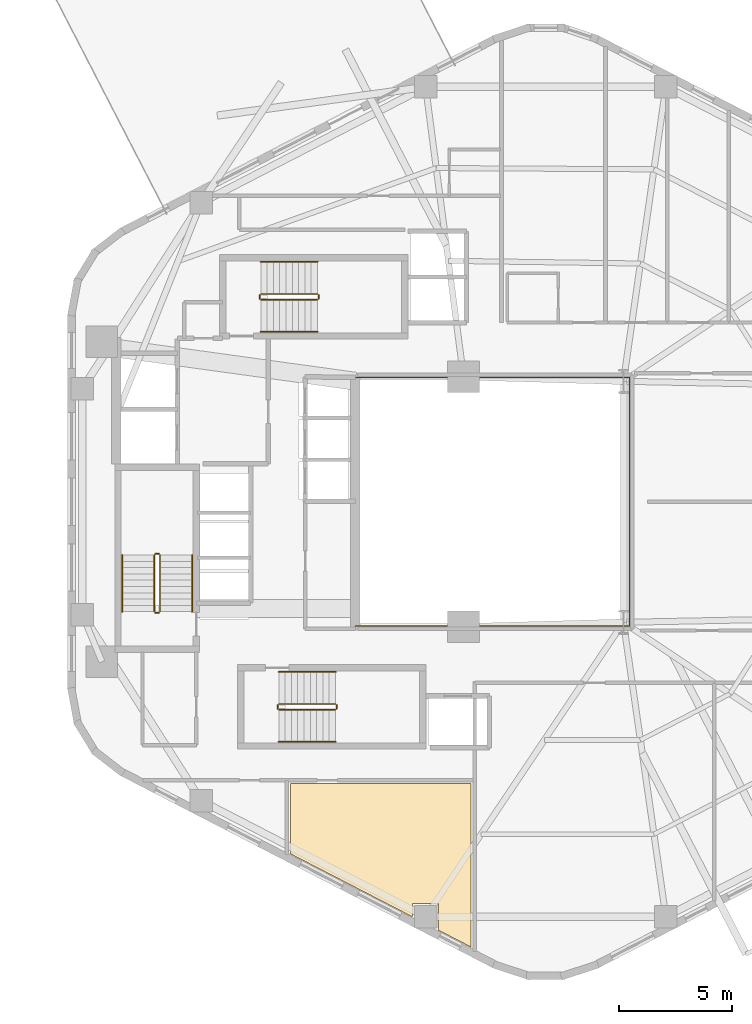
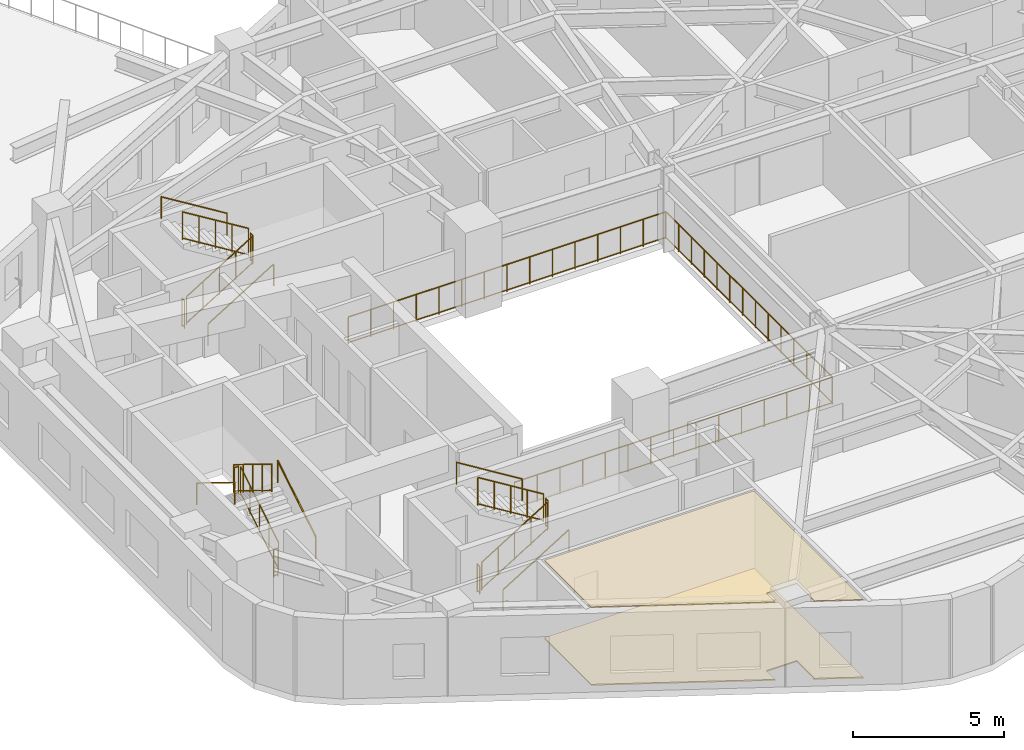
# One storey, part 7 of 8: 19 railings, 2 coverings.
"""IFC4 building model written with IfcOpenShell, lengths in metres."""

from ifc_helpers import new_model, si_unit, direction, frame, origin, origin_2d, place, context, subcontext, project, spatial, polyline, circle, outline, extrude, material, layer, layer_set, type_object, element, save


model = new_model("IFC4")

# Units and contexts
model_context = context("Model", 3, precision=1e-05, world=origin(), true_north=direction((0.0, 1.0)))
body_context = subcontext(model_context, "Body", "Model", "MODEL_VIEW")
ifc_project = project(units=[si_unit("LENGTHUNIT", "METRE"), si_unit("AREAUNIT", "SQUARE_METRE"), si_unit("VOLUMEUNIT", "CUBIC_METRE"), si_unit("PLANEANGLEUNIT", "RADIAN"), si_unit("MASSUNIT", "GRAM", prefix="KILO"), si_unit("THERMODYNAMICTEMPERATUREUNIT", "KELVIN"), si_unit("POWERUNIT", "WATT")], contexts=[model_context])

# Site, building, storey
site_placement = place(None, origin())
site = spatial("IfcSite", under=ifc_project, at=site_placement, CompositionType="ELEMENT")
building_placement = place(site_placement, origin())
building = spatial("IfcBuilding", under=site, at=building_placement, Name="Skarre Station Tower", CompositionType="ELEMENT")
storey_placement = place(building_placement, frame((0.0, 0.0, 149.85009765625)))
storey = spatial("IfcBuildingStorey", under=building, at=storey_placement, Name="L40", CompositionType="ELEMENT", Elevation=149.85009765625)

# Railing
ifc_material_1 = material(Name="Bronze Anodized Steel & Laminated Glass Balustrade", Category="steel")
railing_type_1 = type_object("IfcRailingType", Name="Atrium Void & Mezzanine Guard Balustrade 1120", PredefinedType="GUARDRAIL", material=ifc_material_1)
railing_1_placement = place(storey_placement, frame((27.550048828125, 18.47998046875, 0.0)))
element("IfcRailing", 1, at=railing_1_placement, inside=storey, type_object=railing_type_1, Name="L40 Atrium Void Guard Balustrade", PredefinedType="GUARDRAIL", context=body_context, shape_type="SweptSolid", body=[
    extrude(circle(Radius=0.02392578125, at=origin_2d()), frame((0.0, 0.0, 1.09619140625), z_axis=(1.0, 0.0, 0.0), x_axis=(0.0, 1.0, 0.0)), (0.0, 0.0, 1.0), 12.169921875),
    extrude(circle(Radius=0.02099609375, at=origin_2d()), frame((0.0, 0.0, 0.06005859375), z_axis=(1.0, 0.0, 0.0), x_axis=(0.0, 1.0, 0.0)), (0.0, 0.0, 1.0), 12.169921875),
    extrude(circle(Radius=0.02392578125, at=origin_2d()), frame((12.169921875, 0.0, 1.09619140625), z_axis=(0.0, 1.0, 0.0), x_axis=(-1.0, 0.0, 0.0)), (0.0, 0.0, 1.0), 11.0400390625),
    extrude(circle(Radius=0.02099609375, at=origin_2d()), frame((12.169921875, 0.0, 0.06005859375), z_axis=(0.0, 1.0, 0.0), x_axis=(-1.0, 0.0, 0.0)), (0.0, 0.0, 1.0), 11.0400390625),
    extrude(circle(Radius=0.02392578125, at=origin_2d()), frame((12.169921875, 11.0400390625, 1.09619140625), z_axis=(-1.0, 0.0, 0.0), x_axis=(0.0, -1.0, 0.0)), (0.0, 0.0, 1.0), 12.169921875),
    extrude(circle(Radius=0.02099609375, at=origin_2d()), frame((12.169921875, 11.0400390625, 0.06005859375), z_axis=(-1.0, 0.0, 0.0), x_axis=(0.0, -1.0, 0.0)), (0.0, 0.0, 1.0), 12.169921875),
    extrude(circle(Radius=0.02099609375, at=origin_2d()), origin(), (0.0, 0.0, 1.0), 1.072021484375),
    extrude(circle(Radius=0.02099609375, at=origin_2d()), frame((0.869384765625, 0.0, 0.0)), (0.0, 0.0, 1.0), 1.072021484375),
    extrude(circle(Radius=0.02099609375, at=origin_2d()), frame((1.738525390625, 0.0, 0.0)), (0.0, 0.0, 1.0), 1.072021484375),
    extrude(circle(Radius=0.02099609375, at=origin_2d()), frame((2.60791015625, 0.0, 0.0)), (0.0, 0.0, 1.0), 1.072021484375),
    extrude(circle(Radius=0.02099609375, at=origin_2d()), frame((3.47705078125, 0.0, 0.0)), (0.0, 0.0, 1.0), 1.072021484375),
    extrude(circle(Radius=0.02099609375, at=origin_2d()), frame((4.346435546875, 0.0, 0.0)), (0.0, 0.0, 1.0), 1.072021484375),
    extrude(circle(Radius=0.02099609375, at=origin_2d()), frame((5.215576171875, 0.0, 0.0)), (0.0, 0.0, 1.0), 1.072021484375),
    extrude(circle(Radius=0.02099609375, at=origin_2d()), frame((6.0849609375, 0.0, 0.0)), (0.0, 0.0, 1.0), 1.072021484375),
    extrude(circle(Radius=0.02099609375, at=origin_2d()), frame((6.954345703125, 0.0, 0.0)), (0.0, 0.0, 1.0), 1.072021484375),
    extrude(circle(Radius=0.02099609375, at=origin_2d()), frame((7.823486328125, 0.0, 0.0)), (0.0, 0.0, 1.0), 1.072021484375),
    extrude(circle(Radius=0.02099609375, at=origin_2d()), frame((8.69287109375, 0.0, 0.0)), (0.0, 0.0, 1.0), 1.072021484375),
    extrude(circle(Radius=0.02099609375, at=origin_2d()), frame((9.56201171875, 0.0, 0.0)), (0.0, 0.0, 1.0), 1.072021484375),
    extrude(circle(Radius=0.02099609375, at=origin_2d()), frame((10.431396484375, 0.0, 0.0)), (0.0, 0.0, 1.0), 1.072021484375),
    extrude(circle(Radius=0.02099609375, at=origin_2d()), frame((11.300537109375, 0.0, 0.0)), (0.0, 0.0, 1.0), 1.072021484375),
    extrude(circle(Radius=0.02099609375, at=origin_2d()), frame((12.169921875, 0.0, 0.0)), (0.0, 0.0, 1.0), 1.072021484375),
    extrude(circle(Radius=0.02099609375, at=origin_2d()), frame((12.169921875, 0.84912109375, 0.0)), (0.0, 0.0, 1.0), 1.072021484375),
    extrude(circle(Radius=0.02099609375, at=origin_2d()), frame((12.169921875, 1.698486328125, 0.0)), (0.0, 0.0, 1.0), 1.072021484375),
    extrude(circle(Radius=0.02099609375, at=origin_2d()), frame((12.169921875, 2.547607421875, 0.0)), (0.0, 0.0, 1.0), 1.072021484375),
    extrude(circle(Radius=0.02099609375, at=origin_2d()), frame((12.169921875, 3.39697265625, 0.0)), (0.0, 0.0, 1.0), 1.072021484375),
    extrude(circle(Radius=0.02099609375, at=origin_2d()), frame((12.169921875, 4.24609375, 0.0)), (0.0, 0.0, 1.0), 1.072021484375),
    extrude(circle(Radius=0.02099609375, at=origin_2d()), frame((12.169921875, 5.095458984375, 0.0)), (0.0, 0.0, 1.0), 1.072021484375),
    extrude(circle(Radius=0.02099609375, at=origin_2d()), frame((12.169921875, 5.944580078125, 0.0)), (0.0, 0.0, 1.0), 1.072021484375),
    extrude(circle(Radius=0.02099609375, at=origin_2d()), frame((12.169921875, 6.7939453125, 0.0)), (0.0, 0.0, 1.0), 1.072021484375),
    extrude(circle(Radius=0.02099609375, at=origin_2d()), frame((12.169921875, 7.64306640625, 0.0)), (0.0, 0.0, 1.0), 1.072021484375),
    extrude(circle(Radius=0.02099609375, at=origin_2d()), frame((12.169921875, 8.492431640625, 0.0)), (0.0, 0.0, 1.0), 1.072021484375),
    extrude(circle(Radius=0.02099609375, at=origin_2d()), frame((12.169921875, 9.341552734375, 0.0)), (0.0, 0.0, 1.0), 1.072021484375),
    extrude(circle(Radius=0.02099609375, at=origin_2d()), frame((12.169921875, 10.19091796875, 0.0)), (0.0, 0.0, 1.0), 1.072021484375),
    extrude(circle(Radius=0.02099609375, at=origin_2d()), frame((12.169921875, 11.0400390625, 0.0)), (0.0, 0.0, 1.0), 1.072021484375),
    extrude(circle(Radius=0.02099609375, at=origin_2d()), frame((11.300537109375, 11.0400390625, 0.0)), (0.0, 0.0, 1.0), 1.072021484375),
    extrude(circle(Radius=0.02099609375, at=origin_2d()), frame((10.431396484375, 11.0400390625, 0.0)), (0.0, 0.0, 1.0), 1.072021484375),
    extrude(circle(Radius=0.02099609375, at=origin_2d()), frame((9.56201171875, 11.0400390625, 0.0)), (0.0, 0.0, 1.0), 1.072021484375),
    extrude(circle(Radius=0.02099609375, at=origin_2d()), frame((8.69287109375, 11.0400390625, 0.0)), (0.0, 0.0, 1.0), 1.072021484375),
    extrude(circle(Radius=0.02099609375, at=origin_2d()), frame((7.823486328125, 11.0400390625, 0.0)), (0.0, 0.0, 1.0), 1.072021484375),
    extrude(circle(Radius=0.02099609375, at=origin_2d()), frame((6.954345703125, 11.0400390625, 0.0)), (0.0, 0.0, 1.0), 1.072021484375),
    extrude(circle(Radius=0.02099609375, at=origin_2d()), frame((6.0849609375, 11.0400390625, 0.0)), (0.0, 0.0, 1.0), 1.072021484375),
    extrude(circle(Radius=0.02099609375, at=origin_2d()), frame((5.215576171875, 11.0400390625, 0.0)), (0.0, 0.0, 1.0), 1.072021484375),
    extrude(circle(Radius=0.02099609375, at=origin_2d()), frame((4.346435546875, 11.0400390625, 0.0)), (0.0, 0.0, 1.0), 1.072021484375),
    extrude(circle(Radius=0.02099609375, at=origin_2d()), frame((3.47705078125, 11.0400390625, 0.0)), (0.0, 0.0, 1.0), 1.072021484375),
    extrude(circle(Radius=0.02099609375, at=origin_2d()), frame((2.60791015625, 11.0400390625, 0.0)), (0.0, 0.0, 1.0), 1.072021484375),
    extrude(circle(Radius=0.02099609375, at=origin_2d()), frame((1.738525390625, 11.0400390625, 0.0)), (0.0, 0.0, 1.0), 1.072021484375),
    extrude(circle(Radius=0.02099609375, at=origin_2d()), frame((0.869384765625, 11.0400390625, 0.0)), (0.0, 0.0, 1.0), 1.072021484375),
    extrude(circle(Radius=0.02099609375, at=origin_2d()), frame((0.0, 11.0400390625, 0.0)), (0.0, 0.0, 1.0), 1.072021484375),
])

# Coverings
ifc_material_2 = material(Name="Honed Jura Limestone & Calcium-Sulfate Access Tile", Category="masonry")
ifc_layer_1 = layer(ifc_material_2, 0.050048828125, Name="Honed Jura Limestone & Calcium-Sulfate Access Tile")
ifc_layer_set_1 = layer_set([ifc_layer_1], Name="Honed Jura Limestone & Calcium-Sulfate Access Tile")
covering_type_1 = type_object("IfcCoveringType", Name="Honed Limestone & Raised Access Floor Finish 50", PredefinedType="FLOORING", material=ifc_layer_set_1)
covering_1_placement = place(storey_placement, origin())
element("IfcCovering", 2, at=covering_1_placement, inside=storey, type_object=covering_type_1, Name="L40 Limestone Access Flooring 1", PredefinedType="FLOORING", context=body_context, shape_type="SweptSolid", body=[
    extrude(outline(polyline([(24.659912109375, 8.3798828125), (30.089111328125, 5.577880859375), (30.089111328125, 6.162109375), (31.2490234375, 6.162109375), (31.2490234375, 5.001953125), (31.205078125, 5.001953125), (32.68994140625, 4.235107421875), (32.68994140625, 11.5), (24.659912109375, 11.5), (24.659912109375, 8.3798828125)])), origin(), (0.0, 0.0, 1.0), 0.0498046875),
])
ifc_material_3 = material(Name="Perforated Nordic Birch Veneer & Mineral Wool", Category="wood")
ifc_layer_2 = layer(ifc_material_3, 0.044921875, Name="Perforated Nordic Birch Veneer & Mineral Wool")
ifc_layer_set_2 = layer_set([ifc_layer_2], Name="Perforated Nordic Birch Veneer & Mineral Wool")
covering_type_2 = type_object("IfcCoveringType", Name="Nordic Birch Slatted Acoustic Suspended Ceiling 45", PredefinedType="CEILING", material=ifc_layer_set_2)
covering_2_placement = place(storey_placement, frame((0.0, 0.0, 3.14501953125)))
element("IfcCovering", 3, at=covering_2_placement, inside=storey, type_object=covering_type_2, Name="L40 Acoustic Birch Ceiling 1", PredefinedType="CEILING", context=body_context, shape_type="SweptSolid", body=[
    extrude(outline(polyline([(24.659912109375, 8.3798828125), (30.089111328125, 5.577880859375), (30.089111328125, 6.162109375), (31.2490234375, 6.162109375), (31.2490234375, 5.001953125), (31.205078125, 5.001953125), (32.68994140625, 4.235107421875), (32.68994140625, 11.5), (24.659912109375, 11.5), (24.659912109375, 8.3798828125)])), origin(), (0.0, 0.0, 1.0), 0.044921875),
])

# Railings
ifc_material_4 = material(Name="Powder-Coated Tubular Steel", Category="steel")
railing_type_2 = type_object("IfcRailingType", Name="Painted Steel Ramp & Stair Handrail 920", PredefinedType="HANDRAIL", material=ifc_material_4)
railing_2_placement = place(storey_placement, frame((20.300048828125, 19.1201171875, 0.17236328125)))
element("IfcRailing", 4, at=railing_2_placement, inside=storey, type_object=railing_type_2, Name="L40 ST-1 stair handrail 1", PredefinedType="HANDRAIL", context=body_context, shape_type="SweptSolid", body=[
    extrude(circle(Radius=0.02392578125, at=origin_2d()), frame((0.0, 0.0, 0.8759765625), z_axis=(0.0, 0.851377800117, 0.52455299205), x_axis=(-1.0, 0.0, 0.0)), (0.0, 0.0, 1.0), 2.959716796875),
    extrude(circle(Radius=0.02099609375, at=origin_2d()), origin(), (0.0, 0.0, 1.0), 0.851806640625),
    extrude(circle(Radius=0.02099609375, at=origin_2d()), frame((0.0, 2.519775390625, 1.552490234375)), (0.0, 0.0, 1.0), 0.851806640625),
])
railing_3_placement = place(storey_placement, frame((17.199951171875, 21.639892578125, 1.8974609375)))
element("IfcRailing", 5, at=railing_3_placement, inside=storey, type_object=railing_type_2, Name="L40 ST-1 stair handrail 2", PredefinedType="HANDRAIL", context=body_context, shape_type="SweptSolid", body=[
    extrude(circle(Radius=0.02392578125, at=origin_2d()), frame((0.0, 0.0, 0.8759765625), z_axis=(0.0, -0.851377800117, 0.52455299205), x_axis=(1.0, 0.0, 0.0)), (0.0, 0.0, 1.0), 2.959716796875),
    extrude(circle(Radius=0.02099609375, at=origin_2d()), origin(), (0.0, 0.0, 1.0), 0.851806640625),
    extrude(circle(Radius=0.02099609375, at=origin_2d()), frame((0.0, -2.519775390625, 1.552490234375)), (0.0, 0.0, 1.0), 0.851806640625),
])
railing_4_placement = place(storey_placement, frame((24.14990234375, 13.35009765625, 0.17236328125)))
element("IfcRailing", 6, at=railing_4_placement, inside=storey, type_object=railing_type_2, Name="L40 ST-2 stair handrail 1", PredefinedType="HANDRAIL", context=body_context, shape_type="SweptSolid", body=[
    extrude(circle(Radius=0.02392578125, at=origin_2d()), frame((0.0, 0.0, 0.8759765625), z_axis=(0.851400495292, 0.0, 0.524516154772), x_axis=(0.0, 1.0, 0.0)), (0.0, 0.0, 1.0), 2.9599609375),
    extrude(circle(Radius=0.02099609375, at=origin_2d()), origin(), (0.0, 0.0, 1.0), 0.851806640625),
    extrude(circle(Radius=0.02099609375, at=origin_2d()), frame((2.52001953125, 0.0, 1.552490234375)), (0.0, 0.0, 1.0), 0.851806640625),
])
railing_5_placement = place(storey_placement, frame((26.669921875, 16.449951171875, 1.8974609375)))
element("IfcRailing", 7, at=railing_5_placement, inside=storey, type_object=railing_type_2, Name="L40 ST-2 stair handrail 2", PredefinedType="HANDRAIL", context=body_context, shape_type="SweptSolid", body=[
    extrude(circle(Radius=0.02392578125, at=origin_2d()), frame((0.0, 0.0, 0.8759765625), z_axis=(-0.851400495292, 0.0, 0.524516154772), x_axis=(0.0, -1.0, 0.0)), (0.0, 0.0, 1.0), 2.9599609375),
    extrude(circle(Radius=0.02099609375, at=origin_2d()), origin(), (0.0, 0.0, 1.0), 0.851806640625),
    extrude(circle(Radius=0.02099609375, at=origin_2d()), frame((-2.52001953125, 0.0, 1.552490234375)), (0.0, 0.0, 1.0), 0.851806640625),
])
railing_6_placement = place(storey_placement, frame((23.35009765625, 31.550048828125, 0.17236328125)))
element("IfcRailing", 8, at=railing_6_placement, inside=storey, type_object=railing_type_2, Name="L40 ST-3 stair handrail 1", PredefinedType="HANDRAIL", context=body_context, shape_type="SweptSolid", body=[
    extrude(circle(Radius=0.02392578125, at=origin_2d()), frame((0.0, 0.0, 0.8759765625), z_axis=(0.851400495292, 0.0, 0.524516154772), x_axis=(0.0, 1.0, 0.0)), (0.0, 0.0, 1.0), 2.9599609375),
    extrude(circle(Radius=0.02099609375, at=origin_2d()), origin(), (0.0, 0.0, 1.0), 0.851806640625),
    extrude(circle(Radius=0.02099609375, at=origin_2d()), frame((2.52001953125, 0.0, 1.552490234375)), (0.0, 0.0, 1.0), 0.851806640625),
])
railing_7_placement = place(storey_placement, frame((25.8701171875, 34.64990234375, 1.8974609375)))
element("IfcRailing", 9, at=railing_7_placement, inside=storey, type_object=railing_type_2, Name="L40 ST-3 stair handrail 2", PredefinedType="HANDRAIL", context=body_context, shape_type="SweptSolid", body=[
    extrude(circle(Radius=0.02392578125, at=origin_2d()), frame((0.0, 0.0, 0.8759765625), z_axis=(-0.851400495292, 0.0, 0.524516154772), x_axis=(0.0, -1.0, 0.0)), (0.0, 0.0, 1.0), 2.9599609375),
    extrude(circle(Radius=0.02099609375, at=origin_2d()), origin(), (0.0, 0.0, 1.0), 0.851806640625),
    extrude(circle(Radius=0.02099609375, at=origin_2d()), frame((-2.52001953125, 0.0, 1.552490234375)), (0.0, 0.0, 1.0), 0.851806640625),
])
railing_type_3 = type_object("IfcRailingType", Name="Painted Steel Stairwell Guardrail 1100", PredefinedType="GUARDRAIL", material=ifc_material_4)
railing_8_placement = place(storey_placement, frame((18.8798828125, 19.1201171875, 0.17236328125)))
element("IfcRailing", 10, at=railing_8_placement, inside=storey, type_object=railing_type_3, Name="L40 ST-1 stair guard 1", PredefinedType="GUARDRAIL", context=body_context, shape_type="SweptSolid", body=[
    extrude(circle(Radius=0.02392578125, at=origin_2d()), frame((0.0, 0.0, 1.1259765625), z_axis=(0.0, 0.851377800117, 0.52455299205), x_axis=(-1.0, 0.0, 0.0)), (0.0, 0.0, 1.0), 2.959716796875),
    extrude(circle(Radius=0.02099609375, at=origin_2d()), frame((0.0, 0.0, 0.06005859375), z_axis=(0.0, 0.851377800117, 0.52455299205), x_axis=(-1.0, 0.0, 0.0)), (0.0, 0.0, 1.0), 2.959716796875),
    extrude(circle(Radius=0.02099609375, at=origin_2d()), origin(), (0.0, 0.0, 1.0), 1.101806640625),
    extrude(circle(Radius=0.02099609375, at=origin_2d()), frame((0.0, 0.6298828125, 0.38818359375)), (0.0, 0.0, 1.0), 1.101806640625),
    extrude(circle(Radius=0.02099609375, at=origin_2d()), frame((0.0, 1.259765625, 0.7763671875)), (0.0, 0.0, 1.0), 1.101806640625),
    extrude(circle(Radius=0.02099609375, at=origin_2d()), frame((0.0, 1.889892578125, 1.164306640625)), (0.0, 0.0, 1.0), 1.101806640625),
    extrude(circle(Radius=0.02099609375, at=origin_2d()), frame((0.0, 2.519775390625, 1.552490234375)), (0.0, 0.0, 1.0), 1.101806640625),
])
railing_9_placement = place(storey_placement, frame((18.830078125, 21.68994140625, 1.724853515625)))
element("IfcRailing", 11, at=railing_9_placement, inside=storey, type_object=railing_type_3, Name="L40 ST-1 stair guard 2", PredefinedType="GUARDRAIL", context=body_context, shape_type="SweptSolid", body=[
    extrude(circle(Radius=0.02392578125, at=origin_2d()), frame((0.0, 0.0, 1.1259765625), z_axis=(-1.0, 0.0, 0.0), x_axis=(0.0, -1.0, 0.0)), (0.0, 0.0, 1.0), 0.16015625),
    extrude(circle(Radius=0.02099609375, at=origin_2d()), frame((0.0, 0.0, 0.06005859375), z_axis=(-1.0, 0.0, 0.0), x_axis=(0.0, -1.0, 0.0)), (0.0, 0.0, 1.0), 0.16015625),
    extrude(circle(Radius=0.02099609375, at=origin_2d()), origin(), (0.0, 0.0, 1.0), 1.101806640625),
    extrude(circle(Radius=0.02099609375, at=origin_2d()), frame((-0.16015625, 0.0, 0.0)), (0.0, 0.0, 1.0), 1.101806640625),
])
railing_10_placement = place(storey_placement, frame((18.6201171875, 21.639892578125, 1.8974609375)))
element("IfcRailing", 12, at=railing_10_placement, inside=storey, type_object=railing_type_3, Name="L40 ST-1 stair guard 3", PredefinedType="GUARDRAIL", context=body_context, shape_type="SweptSolid", body=[
    extrude(circle(Radius=0.02392578125, at=origin_2d()), frame((0.0, 0.0, 1.1259765625), z_axis=(0.0, -0.851377800117, 0.52455299205), x_axis=(1.0, 0.0, 0.0)), (0.0, 0.0, 1.0), 2.959716796875),
    extrude(circle(Radius=0.02099609375, at=origin_2d()), frame((0.0, 0.0, 0.06005859375), z_axis=(0.0, -0.851377800117, 0.52455299205), x_axis=(1.0, 0.0, 0.0)), (0.0, 0.0, 1.0), 2.959716796875),
    extrude(circle(Radius=0.02099609375, at=origin_2d()), origin(), (0.0, 0.0, 1.0), 1.101806640625),
    extrude(circle(Radius=0.02099609375, at=origin_2d()), frame((0.0, -0.6298828125, 0.38818359375)), (0.0, 0.0, 1.0), 1.101806640625),
    extrude(circle(Radius=0.02099609375, at=origin_2d()), frame((0.0, -1.259765625, 0.7763671875)), (0.0, 0.0, 1.0), 1.101806640625),
    extrude(circle(Radius=0.02099609375, at=origin_2d()), frame((0.0, -1.889892578125, 1.164306640625)), (0.0, 0.0, 1.0), 1.101806640625),
    extrude(circle(Radius=0.02099609375, at=origin_2d()), frame((0.0, -2.519775390625, 1.552490234375)), (0.0, 0.0, 1.0), 1.101806640625),
])
railing_11_placement = place(storey_placement, frame((18.830078125, 19.070068359375, 0.0)))
element("IfcRailing", 13, at=railing_11_placement, inside=storey, type_object=railing_type_3, Name="L40 ST-1 stair guard 4", PredefinedType="GUARDRAIL", context=body_context, shape_type="SweptSolid", body=[
    extrude(circle(Radius=0.02392578125, at=origin_2d()), frame((0.0, 0.0, 1.1259765625), z_axis=(-1.0, 0.0, 0.0), x_axis=(0.0, -1.0, 0.0)), (0.0, 0.0, 1.0), 0.16015625),
    extrude(circle(Radius=0.02099609375, at=origin_2d()), frame((0.0, 0.0, 0.06005859375), z_axis=(-1.0, 0.0, 0.0), x_axis=(0.0, -1.0, 0.0)), (0.0, 0.0, 1.0), 0.16015625),
    extrude(circle(Radius=0.02099609375, at=origin_2d()), origin(), (0.0, 0.0, 1.0), 1.101806640625),
    extrude(circle(Radius=0.02099609375, at=origin_2d()), frame((-0.16015625, 0.0, 0.0)), (0.0, 0.0, 1.0), 1.101806640625),
])
railing_12_placement = place(storey_placement, frame((24.14990234375, 14.77001953125, 0.17236328125)))
element("IfcRailing", 14, at=railing_12_placement, inside=storey, type_object=railing_type_3, Name="L40 ST-2 stair guard 1", PredefinedType="GUARDRAIL", context=body_context, shape_type="SweptSolid", body=[
    extrude(circle(Radius=0.02392578125, at=origin_2d()), frame((0.0, 0.0, 1.1259765625), z_axis=(0.851400495292, 0.0, 0.524516154772), x_axis=(0.0, 1.0, 0.0)), (0.0, 0.0, 1.0), 2.9599609375),
    extrude(circle(Radius=0.02099609375, at=origin_2d()), frame((0.0, 0.0, 0.06005859375), z_axis=(0.851400495292, 0.0, 0.524516154772), x_axis=(0.0, 1.0, 0.0)), (0.0, 0.0, 1.0), 2.9599609375),
    extrude(circle(Radius=0.02099609375, at=origin_2d()), origin(), (0.0, 0.0, 1.0), 1.101806640625),
    extrude(circle(Radius=0.02099609375, at=origin_2d()), frame((0.6298828125, 0.0, 0.38818359375)), (0.0, 0.0, 1.0), 1.101806640625),
    extrude(circle(Radius=0.02099609375, at=origin_2d()), frame((1.260009765625, 0.0, 0.7763671875)), (0.0, 0.0, 1.0), 1.101806640625),
    extrude(circle(Radius=0.02099609375, at=origin_2d()), frame((1.89013671875, 0.0, 1.164306640625)), (0.0, 0.0, 1.0), 1.101806640625),
    extrude(circle(Radius=0.02099609375, at=origin_2d()), frame((2.52001953125, 0.0, 1.552490234375)), (0.0, 0.0, 1.0), 1.101806640625),
])
railing_13_placement = place(storey_placement, frame((26.719970703125, 14.820068359375, 1.724853515625)))
element("IfcRailing", 15, at=railing_13_placement, inside=storey, type_object=railing_type_3, Name="L40 ST-2 stair guard 2", PredefinedType="GUARDRAIL", context=body_context, shape_type="SweptSolid", body=[
    extrude(circle(Radius=0.02392578125, at=origin_2d()), frame((0.0, 0.0, 1.1259765625), z_axis=(0.0, 1.0, 0.0), x_axis=(-1.0, 0.0, 0.0)), (0.0, 0.0, 1.0), 0.159912109375),
    extrude(circle(Radius=0.02099609375, at=origin_2d()), frame((0.0, 0.0, 0.06005859375), z_axis=(0.0, 1.0, 0.0), x_axis=(-1.0, 0.0, 0.0)), (0.0, 0.0, 1.0), 0.159912109375),
    extrude(circle(Radius=0.02099609375, at=origin_2d()), origin(), (0.0, 0.0, 1.0), 1.101806640625),
    extrude(circle(Radius=0.02099609375, at=origin_2d()), frame((0.0, 0.159912109375, 0.0)), (0.0, 0.0, 1.0), 1.101806640625),
])
railing_14_placement = place(storey_placement, frame((26.669921875, 15.030029296875, 1.8974609375)))
element("IfcRailing", 16, at=railing_14_placement, inside=storey, type_object=railing_type_3, Name="L40 ST-2 stair guard 3", PredefinedType="GUARDRAIL", context=body_context, shape_type="SweptSolid", body=[
    extrude(circle(Radius=0.02392578125, at=origin_2d()), frame((0.0, 0.0, 1.1259765625), z_axis=(-0.851400495292, 0.0, 0.524516154772), x_axis=(0.0, -1.0, 0.0)), (0.0, 0.0, 1.0), 2.9599609375),
    extrude(circle(Radius=0.02099609375, at=origin_2d()), frame((0.0, 0.0, 0.06005859375), z_axis=(-0.851400495292, 0.0, 0.524516154772), x_axis=(0.0, -1.0, 0.0)), (0.0, 0.0, 1.0), 2.9599609375),
    extrude(circle(Radius=0.02099609375, at=origin_2d()), origin(), (0.0, 0.0, 1.0), 1.101806640625),
    extrude(circle(Radius=0.02099609375, at=origin_2d()), frame((-0.6298828125, 0.0, 0.38818359375)), (0.0, 0.0, 1.0), 1.101806640625),
    extrude(circle(Radius=0.02099609375, at=origin_2d()), frame((-1.260009765625, 0.0, 0.7763671875)), (0.0, 0.0, 1.0), 1.101806640625),
    extrude(circle(Radius=0.02099609375, at=origin_2d()), frame((-1.89013671875, 0.0, 1.164306640625)), (0.0, 0.0, 1.0), 1.101806640625),
    extrude(circle(Radius=0.02099609375, at=origin_2d()), frame((-2.52001953125, 0.0, 1.552490234375)), (0.0, 0.0, 1.0), 1.101806640625),
])
railing_15_placement = place(storey_placement, frame((24.10009765625, 14.820068359375, 0.0)))
element("IfcRailing", 17, at=railing_15_placement, inside=storey, type_object=railing_type_3, Name="L40 ST-2 stair guard 4", PredefinedType="GUARDRAIL", context=body_context, shape_type="SweptSolid", body=[
    extrude(circle(Radius=0.02392578125, at=origin_2d()), frame((0.0, 0.0, 1.1259765625), z_axis=(0.0, 1.0, 0.0), x_axis=(-1.0, 0.0, 0.0)), (0.0, 0.0, 1.0), 0.159912109375),
    extrude(circle(Radius=0.02099609375, at=origin_2d()), frame((0.0, 0.0, 0.06005859375), z_axis=(0.0, 1.0, 0.0), x_axis=(-1.0, 0.0, 0.0)), (0.0, 0.0, 1.0), 0.159912109375),
    extrude(circle(Radius=0.02099609375, at=origin_2d()), origin(), (0.0, 0.0, 1.0), 1.101806640625),
    extrude(circle(Radius=0.02099609375, at=origin_2d()), frame((0.0, 0.159912109375, 0.0)), (0.0, 0.0, 1.0), 1.101806640625),
])
railing_16_placement = place(storey_placement, frame((23.35009765625, 32.969970703125, 0.17236328125)))
element("IfcRailing", 18, at=railing_16_placement, inside=storey, type_object=railing_type_3, Name="L40 ST-3 stair guard 1", PredefinedType="GUARDRAIL", context=body_context, shape_type="SweptSolid", body=[
    extrude(circle(Radius=0.02392578125, at=origin_2d()), frame((0.0, 0.0, 1.1259765625), z_axis=(0.851400495292, 0.0, 0.524516154772), x_axis=(0.0, 1.0, 0.0)), (0.0, 0.0, 1.0), 2.9599609375),
    extrude(circle(Radius=0.02099609375, at=origin_2d()), frame((0.0, 0.0, 0.06005859375), z_axis=(0.851400495292, 0.0, 0.524516154772), x_axis=(0.0, 1.0, 0.0)), (0.0, 0.0, 1.0), 2.9599609375),
    extrude(circle(Radius=0.02099609375, at=origin_2d()), origin(), (0.0, 0.0, 1.0), 1.101806640625),
    extrude(circle(Radius=0.02099609375, at=origin_2d()), frame((0.6298828125, 0.0, 0.38818359375)), (0.0, 0.0, 1.0), 1.101806640625),
    extrude(circle(Radius=0.02099609375, at=origin_2d()), frame((1.260009765625, 0.0, 0.7763671875)), (0.0, 0.0, 1.0), 1.101806640625),
    extrude(circle(Radius=0.02099609375, at=origin_2d()), frame((1.89013671875, 0.0, 1.164306640625)), (0.0, 0.0, 1.0), 1.101806640625),
    extrude(circle(Radius=0.02099609375, at=origin_2d()), frame((2.52001953125, 0.0, 1.552490234375)), (0.0, 0.0, 1.0), 1.101806640625),
])
railing_17_placement = place(storey_placement, frame((25.919921875, 33.02001953125, 1.724853515625)))
element("IfcRailing", 19, at=railing_17_placement, inside=storey, type_object=railing_type_3, Name="L40 ST-3 stair guard 2", PredefinedType="GUARDRAIL", context=body_context, shape_type="SweptSolid", body=[
    extrude(circle(Radius=0.02392578125, at=origin_2d()), frame((0.0, 0.0, 1.1259765625), z_axis=(0.0, 1.0, 0.0), x_axis=(-1.0, 0.0, 0.0)), (0.0, 0.0, 1.0), 0.159912109375),
    extrude(circle(Radius=0.02099609375, at=origin_2d()), frame((0.0, 0.0, 0.06005859375), z_axis=(0.0, 1.0, 0.0), x_axis=(-1.0, 0.0, 0.0)), (0.0, 0.0, 1.0), 0.159912109375),
    extrude(circle(Radius=0.02099609375, at=origin_2d()), origin(), (0.0, 0.0, 1.0), 1.101806640625),
    extrude(circle(Radius=0.02099609375, at=origin_2d()), frame((0.0, 0.159912109375, 0.0)), (0.0, 0.0, 1.0), 1.101806640625),
])
railing_18_placement = place(storey_placement, frame((25.8701171875, 33.22998046875, 1.8974609375)))
element("IfcRailing", 20, at=railing_18_placement, inside=storey, type_object=railing_type_3, Name="L40 ST-3 stair guard 3", PredefinedType="GUARDRAIL", context=body_context, shape_type="SweptSolid", body=[
    extrude(circle(Radius=0.02392578125, at=origin_2d()), frame((0.0, 0.0, 1.1259765625), z_axis=(-0.851400495292, 0.0, 0.524516154772), x_axis=(0.0, -1.0, 0.0)), (0.0, 0.0, 1.0), 2.9599609375),
    extrude(circle(Radius=0.02099609375, at=origin_2d()), frame((0.0, 0.0, 0.06005859375), z_axis=(-0.851400495292, 0.0, 0.524516154772), x_axis=(0.0, -1.0, 0.0)), (0.0, 0.0, 1.0), 2.9599609375),
    extrude(circle(Radius=0.02099609375, at=origin_2d()), origin(), (0.0, 0.0, 1.0), 1.101806640625),
    extrude(circle(Radius=0.02099609375, at=origin_2d()), frame((-0.6298828125, 0.0, 0.38818359375)), (0.0, 0.0, 1.0), 1.101806640625),
    extrude(circle(Radius=0.02099609375, at=origin_2d()), frame((-1.260009765625, 0.0, 0.7763671875)), (0.0, 0.0, 1.0), 1.101806640625),
    extrude(circle(Radius=0.02099609375, at=origin_2d()), frame((-1.89013671875, 0.0, 1.164306640625)), (0.0, 0.0, 1.0), 1.101806640625),
    extrude(circle(Radius=0.02099609375, at=origin_2d()), frame((-2.52001953125, 0.0, 1.552490234375)), (0.0, 0.0, 1.0), 1.101806640625),
])
railing_19_placement = place(storey_placement, frame((23.300048828125, 33.02001953125, 0.0)))
element("IfcRailing", 21, at=railing_19_placement, inside=storey, type_object=railing_type_3, Name="L40 ST-3 stair guard 4", PredefinedType="GUARDRAIL", context=body_context, shape_type="SweptSolid", body=[
    extrude(circle(Radius=0.02392578125, at=origin_2d()), frame((0.0, 0.0, 1.1259765625), z_axis=(0.0, 1.0, 0.0), x_axis=(-1.0, 0.0, 0.0)), (0.0, 0.0, 1.0), 0.159912109375),
    extrude(circle(Radius=0.02099609375, at=origin_2d()), frame((0.0, 0.0, 0.06005859375), z_axis=(0.0, 1.0, 0.0), x_axis=(-1.0, 0.0, 0.0)), (0.0, 0.0, 1.0), 0.159912109375),
    extrude(circle(Radius=0.02099609375, at=origin_2d()), origin(), (0.0, 0.0, 1.0), 1.101806640625),
    extrude(circle(Radius=0.02099609375, at=origin_2d()), frame((0.0, 0.159912109375, 0.0)), (0.0, 0.0, 1.0), 1.101806640625),
])

save(model, "model.ifc")
